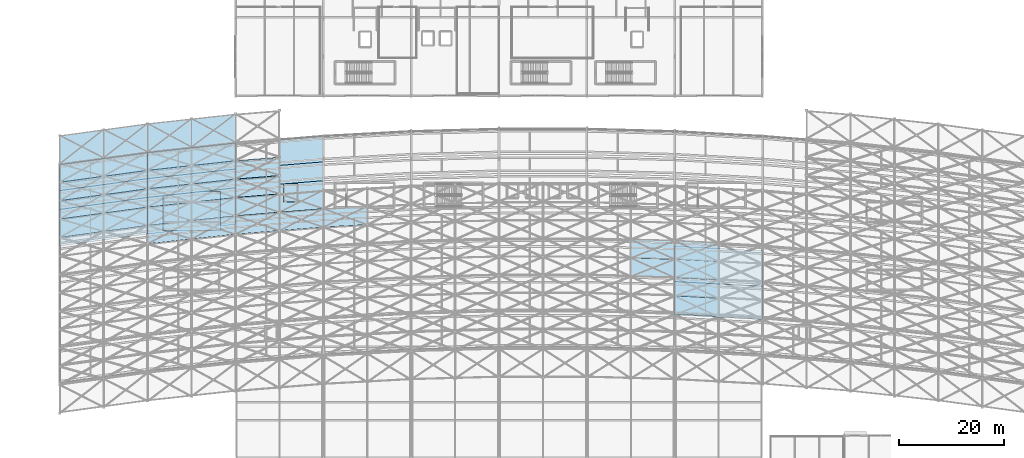
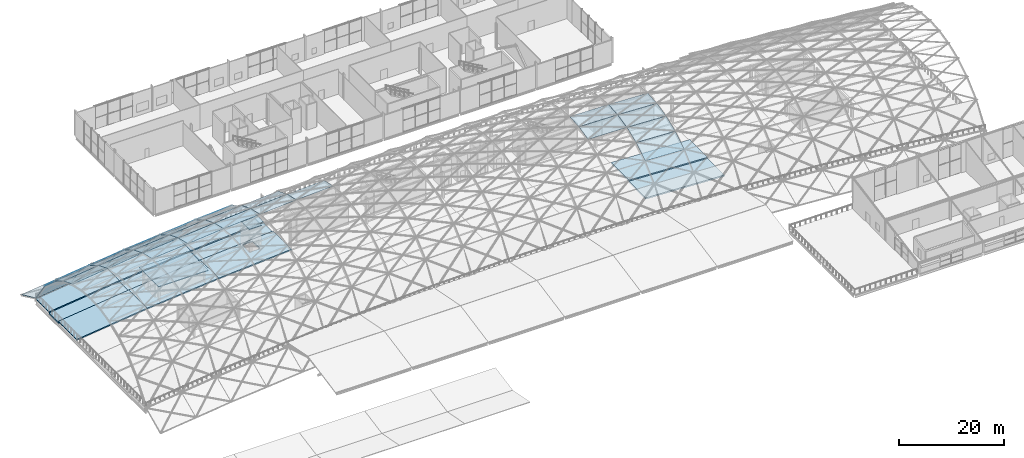
# One storey, part 66 of 100: 35 plates, 13 slabs.
"""IFC4 building model written with IfcOpenShell, lengths in metres."""

import ifcopenshell
import ifcopenshell.guid

model = None  # the IFC model being written
_history = None  # IfcOwnerHistory: only IFC2X3 demands one
_inside = {}  # id of a spatial element -> (the spatial element, [elements in it])
_under = {}  # id of a project, library or spatial element -> (it, [spatial elements below it])
_declared = {}  # id of a project -> (the project, [libraries it declares])
_typed = {}  # id of a type object -> (the type object, [elements of that type])
_made_of = {}  # id of a material, layer set ... -> (it, [elements and type objects made of it])


def new_model(schema):
    """Start an empty IFC model of exactly this schema.

    Asked for "IFC4X3", IfcOpenShell would pick the latest addendum, in which some entities
    have other attributes; the version numbers below select the first issue.
    IFC2X3 requires an IfcOwnerHistory on every rooted entity: one is made here for all.
    """
    global model, _history
    if schema == "IFC4X3":
        model = ifcopenshell.file(schema_version=(4, 3, 0, 0))
    else:
        model = ifcopenshell.file(schema=schema)
    _inside.clear()
    _under.clear()
    _declared.clear()
    _typed.clear()
    _made_of.clear()
    _history = None
    if model.schema == "IFC2X3":
        org = make("IfcOrganization", Name="unknown")
        user = make(
            "IfcPersonAndOrganization",
            ThePerson=make("IfcPerson", FamilyName="unknown"),
            TheOrganization=org,
        )
        app = make(
            "IfcApplication",
            ApplicationDeveloper=org,
            Version="unknown",
            ApplicationFullName="unknown",
            ApplicationIdentifier="unknown",
        )
        _history = make(
            "IfcOwnerHistory",
            OwningUser=user,
            OwningApplication=app,
            ChangeAction="ADDED",
            CreationDate=0,
        )
    return model


def make(cls, **values):
    """One entity of the class cls with the attributes given. An attribute that is None is left unset."""
    return model.create_entity(
        cls, **{name: value for name, value in values.items() if value is not None}
    )


def rooted(cls, **values):
    """An entity with a GlobalId (a new one), such as an element, a storey or a relation."""
    return make(cls, GlobalId=ifcopenshell.guid.new(), OwnerHistory=_history, **values)


def si_unit(unit_type, name, prefix=None):
    """IfcSIUnit, for example si_unit("LENGTHUNIT", "METRE", prefix="MILLI")."""
    return make("IfcSIUnit", UnitType=unit_type, Prefix=prefix, Name=name)


def assignment(units):
    """IfcUnitAssignment: the units of a project."""
    return None if units is None else make("IfcUnitAssignment", Units=units)


def point(xyz):
    """IfcCartesianPoint."""
    return None if xyz is None else make("IfcCartesianPoint", Coordinates=xyz)


def direction(xyz):
    """IfcDirection."""
    return None if xyz is None else make("IfcDirection", DirectionRatios=xyz)


def frame(location, z_axis=None, x_axis=None):
    """IfcAxis2Placement3D, a coordinate frame: its origin and axes. An axis left out is left unset."""
    return make(
        "IfcAxis2Placement3D",
        Location=point(location),
        Axis=direction(z_axis),
        RefDirection=direction(x_axis),
    )


def origin():
    """The frame at (0, 0, 0) with its axes left unset."""
    return frame((0.0, 0.0, 0.0))


def place(relative_to, where):
    """IfcLocalPlacement: puts the frame where relative to a parent placement (None: the world)."""
    return make(
        "IfcLocalPlacement", PlacementRelTo=relative_to, RelativePlacement=where
    )


def context(
    kind, dimensions, precision=None, world=None, true_north=None, identifier=None
):
    """IfcGeometricRepresentationContext, for example the 3D "Model" context."""
    return make(
        "IfcGeometricRepresentationContext",
        ContextIdentifier=identifier,
        ContextType=kind,
        CoordinateSpaceDimension=dimensions,
        Precision=precision,
        WorldCoordinateSystem=world,
        TrueNorth=true_north,
    )


def subcontext(parent, identifier, kind, view, scale=None):
    """IfcGeometricRepresentationSubContext, for example "Body" below "Model"."""
    return make(
        "IfcGeometricRepresentationSubContext",
        ContextIdentifier=identifier,
        ContextType=kind,
        ParentContext=parent,
        TargetScale=scale,
        TargetView=view,
    )


def project(units=None, contexts=None):
    """IfcProject with its units and contexts."""
    return rooted(
        "IfcProject",
        Name="project",
        RepresentationContexts=contexts,
        UnitsInContext=assignment(units),
    )


def spatial(cls, under=None, at=None, **own):
    """A site, building, storey or space (cls), placed at a placement, below another one or the project."""
    s = rooted(cls, ObjectPlacement=at, **own)
    if under is not None:
        _under.setdefault(under.id(), (under, []))[1].append(s)
    return s


def polyline(points):
    """IfcPolyline through the points."""
    return make("IfcPolyline", Points=[point(p) for p in points])


def outline(outer, holes=None, kind="AREA"):
    """IfcArbitraryClosedProfileDef: a profile drawn as a closed curve; with holes, ...WithVoids."""
    if holes is None:
        return make("IfcArbitraryClosedProfileDef", ProfileType=kind, OuterCurve=outer)
    return make(
        "IfcArbitraryProfileDefWithVoids",
        ProfileType=kind,
        OuterCurve=outer,
        InnerCurves=holes,
    )


def extrude(swept, where, along, depth):
    """IfcExtrudedAreaSolid: the profile swept, set in the frame where, extruded along a direction by depth."""
    return make(
        "IfcExtrudedAreaSolid",
        SweptArea=swept,
        Position=where,
        ExtrudedDirection=direction(along),
        Depth=depth,
    )


def shape(context_of_items, identifier, shape_type, items):
    """IfcShapeRepresentation: the items that make up one representation, for example the "Body"."""
    return make(
        "IfcShapeRepresentation",
        ContextOfItems=context_of_items,
        RepresentationIdentifier=identifier,
        RepresentationType=shape_type,
        Items=items,
    )


def material(Name=None, Category=None):
    """IfcMaterial."""
    return make("IfcMaterial", Name=Name, Category=Category)


def layer(
    of_material, thickness, ventilated=None, Name=None, Category=None, Priority=None
):
    """IfcMaterialLayer: one layer of a wall or slab, of a material (None: an air gap)."""
    return make(
        "IfcMaterialLayer",
        Material=of_material,
        LayerThickness=thickness,
        IsVentilated=ventilated,
        Name=Name,
        Category=Category,
        Priority=Priority,
    )


def layer_set(layers, Name=None):
    """IfcMaterialLayerSet."""
    return make("IfcMaterialLayerSet", MaterialLayers=layers, LayerSetName=Name)


def made_of(thing, what):
    """Note that an element or type object is made of a material, layer set ...; save() writes the relation."""
    if what is not None:
        _made_of.setdefault(what.id(), (what, []))[1].append(thing)
    return thing


def type_object(cls, material=None, **own):
    """A type object (cls), such as IfcWallType, which elements share."""
    return made_of(rooted(cls, **own), material)


def element(
    cls,
    number,
    at=None,
    inside=None,
    cuts=None,
    type_object=None,
    material=None,
    context=None,
    identifier="Body",
    shape_type=None,
    held_by="IfcProductDefinitionShape",
    body=None,
    shapes=None,
    **own,
):
    """One element of the class cls, such as IfcWall. Its Tag is "e" and its number.

    at: its placement. inside: the storey or other place that contains it. cuts: it is an
    opening in that element (IfcRelVoidsElement). A single representation is given by context,
    identifier, shape_type and body (its items); several are given by shapes. held_by: the class
    of the entity that holds the representations. save() writes the other relations.
    """
    e = rooted(cls, Tag="e%d" % number, ObjectPlacement=at, **own)
    if body is not None:
        shapes = [shape(context, identifier, shape_type, body)]
    if shapes is not None:
        e.Representation = make(held_by, Representations=shapes)
    if inside is not None:
        _inside.setdefault(inside.id(), (inside, []))[1].append(e)
    if cuts is not None:
        rooted(
            "IfcRelVoidsElement", RelatingBuildingElement=cuts, RelatedOpeningElement=e
        )
    if type_object is not None:
        _typed.setdefault(type_object.id(), (type_object, []))[1].append(e)
    return made_of(e, material)


def aggregate(whole, parts):
    """IfcRelAggregates: a whole, such as a stair, and the parts it consists of."""
    return rooted("IfcRelAggregates", RelatingObject=whole, RelatedObjects=parts)


def save(model, path):
    """Write the relations noted so far, then the file.

    IfcRelAggregates (storeys below a building ...), IfcRelContainedInSpatialStructure (elements
    in a storey), IfcRelDefinesByType, IfcRelAssociatesMaterial and IfcRelDeclares: one each for
    every whole, place, type object, material and project.
    """
    for whole, parts in _under.values():
        aggregate(whole, parts)
    for where, things in _inside.values():
        rooted(
            "IfcRelContainedInSpatialStructure",
            RelatedElements=things,
            RelatingStructure=where,
        )
    for kind, things in _typed.values():
        rooted("IfcRelDefinesByType", RelatedObjects=things, RelatingType=kind)
    for what, things in _made_of.values():
        rooted("IfcRelAssociatesMaterial", RelatedObjects=things, RelatingMaterial=what)
    for by, libraries in _declared.values():
        rooted("IfcRelDeclares", RelatingContext=by, RelatedDefinitions=libraries)
    model.write(path)


model = new_model("IFC4")

# Units and contexts
model_context = context("Model", 3, precision=1e-05, world=origin(), true_north=direction((0.0, 1.0)))
body_context = subcontext(model_context, "Body", "Model", "MODEL_VIEW")
ifc_project = project(units=[si_unit("LENGTHUNIT", "METRE"), si_unit("AREAUNIT", "SQUARE_METRE"), si_unit("VOLUMEUNIT", "CUBIC_METRE"), si_unit("PLANEANGLEUNIT", "RADIAN"), si_unit("MASSUNIT", "GRAM", prefix="KILO")], contexts=[model_context])

# Site, building, storey
site_placement = place(None, origin())
site = spatial("IfcSite", under=ifc_project, at=site_placement, CompositionType="ELEMENT")
building_placement = place(site_placement, origin())
building = spatial("IfcBuilding", under=site, at=building_placement, Name="Kimbaza Rail Terminus", CompositionType="ELEMENT")
storey_placement = place(building_placement, frame((0.0, 0.0, 10.800048828125)))
storey = spatial("IfcBuildingStorey", under=building, at=storey_placement, Name="L02", CompositionType="ELEMENT", Elevation=10.800048828125)

# Plates
ifc_material_1 = material(Name="Insulated pearl-white aluminium cassette", Category="aluminium")
ifc_layer_1 = layer(ifc_material_1, 0.072998046875)
ifc_layer_set_1 = layer_set([ifc_layer_1], Name="Insulated pearl-white aluminium cassette")
plate_type_1 = type_object("IfcPlateType", Name="ARC-PL-VAL-10", PredefinedType="SHEET", material=ifc_layer_set_1)
plate_1_placement = place(storey_placement, frame((21.60498046875, 75.92333984375, 11.858154296875), z_axis=(-0.050811530578, 0.371055898819, 0.927219342072), x_axis=(0.990753872834, 0.135671527834, 0.0)))
element("IfcPlate", 1, at=plate_1_placement, inside=storey, type_object=plate_type_1, Name="Vault Insulated Aluminium Cassette VR-00-VA09", PredefinedType="SHEET", context=body_context, shape_type="SweptSolid", body=[
    extrude(outline(polyline([(0.0, 0.0), (8.468436963816755, 0.0), (8.94328731123702, 3.739825516549169), (0.474850347420265, 3.7398255165491685), (0.0, 0.0)])), origin(), (0.0, 0.0, -1.0), 0.072998046875),
])
ifc_material_2 = material(Name="Insulated pearl-white aluminium cassette", Category="aluminium")
ifc_layer_2 = layer(ifc_material_2, 0.074951171875)
ifc_layer_set_2 = layer_set([ifc_layer_2], Name="Insulated pearl-white aluminium cassette")
plate_type_2 = type_object("IfcPlateType", Name="ARC-PL-VAL-11", PredefinedType="SHEET", material=ifc_layer_set_2)
plate_2_placement = place(storey_placement, frame((21.60498046875, 79.443359375, 10.44970703125), z_axis=(-0.071089855016, 0.519140237456, 0.851727448406), x_axis=(0.990753872834, 0.135671527834, 0.0)))
element("IfcPlate", 2, at=plate_2_placement, inside=storey, type_object=plate_type_2, Name="Vault Insulated Aluminium Cassette VR-00-VA10", PredefinedType="SHEET", context=body_context, shape_type="SweptSolid", body=[
    extrude(outline(polyline([(0.0, 0.0), (8.468436963816755, 0.0), (8.94328731123702, 4.071300697668586), (0.474850347420265, 4.071300697668586), (0.0, 0.0)])), origin(), (0.0, 0.0, -1.0), 0.074951171875),
])
ifc_material_3 = material(Name="Insulated pearl-white aluminium cassette", Category="aluminium")
ifc_layer_3 = layer(ifc_material_3, 0.076904296875)
ifc_layer_set_3 = layer_set([ifc_layer_3], Name="Insulated pearl-white aluminium cassette")
plate_type_3 = type_object("IfcPlateType", Name="ARC-PL-VAL-12", PredefinedType="SHEET", material=ifc_layer_set_3)
plate_3_placement = place(storey_placement, frame((21.60498046875, 82.964111328125, 8.3037109375), z_axis=(-0.091339043118, 0.6671535719, 0.739299188897), x_axis=(0.990757747619, 0.135643228847, 0.0)))
element("IfcPlate", 3, at=plate_3_placement, inside=storey, type_object=plate_type_3, Name="Vault Insulated Aluminium Cassette VR-00-VA11", PredefinedType="SHEET", context=body_context, shape_type="SweptSolid", body=[
    extrude(outline(polyline([(0.0, 0.0), (8.468403844339614, -1.1102230246251565e-16), (8.943155145303464, 4.69045843516038), (0.47475130096385, 4.690458435160381), (0.0, 0.0)])), origin(), (0.0, 0.0, -1.0), 0.076904296875),
])
ifc_material_4 = material(Name="Insulated pearl-white aluminium cassette", Category="aluminium")
ifc_layer_4 = layer(ifc_material_4, 0.0791015625)
ifc_layer_set_4 = layer_set([ifc_layer_4], Name="Insulated pearl-white aluminium cassette")
plate_type_4 = type_object("IfcPlateType", Name="ARC-PL-VAL-13", PredefinedType="SHEET", material=ifc_layer_set_4)
plate_4_placement = place(storey_placement, frame((21.60498046875, 86.4853515625, 5.12451171875), z_axis=(-0.111797155631, 0.81658258245, 0.566298756869), x_axis=(0.990757747619, 0.135643228847, 0.0)))
element("IfcPlate", 4, at=plate_4_placement, inside=storey, type_object=plate_type_4, Name="Vault Insulated Aluminium Cassette VR-00-VA12", PredefinedType="SHEET", context=body_context, shape_type="SweptSolid", body=[
    extrude(outline(polyline([(0.0, 0.0), (8.468403844339614, 0.0), (8.943155145303464, 6.123361696638385), (0.47475130096385004, 6.123361696638386), (0.0, 0.0)])), origin(), (0.0, 0.0, -1.0), 0.0791015625),
])
ifc_material_5 = material(Name="Insulated pearl-white aluminium cassette", Category="aluminium")
ifc_layer_5 = layer(ifc_material_5, 0.0810546875)
ifc_layer_set_5 = layer_set([ifc_layer_5], Name="Insulated pearl-white aluminium cassette")
plate_type_5 = type_object("IfcPlateType", Name="ARC-PL-VAL-14", PredefinedType="SHEET", material=ifc_layer_set_5)
plate_5_placement = place(storey_placement, frame((21.60498046875, 89.93212890625, 0.123779296875), z_axis=(-0.056574455455, 0.413140190432, 0.908908418951), x_axis=(0.990753872834, 0.135671527834, 0.0)))
element("IfcPlate", 5, at=plate_5_placement, inside=storey, type_object=plate_type_5, Name="Vault Insulated Aluminium Cassette VR-00-VA13", PredefinedType="SHEET", context=body_context, shape_type="SweptSolid", body=[
    extrude(outline(polyline([(0.0, 0.0), (8.468436963816755, 0.0), (9.214630366905743, 5.995264414951728), (0.7461934030889878, 5.995264414951728), (0.0, 0.0)])), origin(), (0.0, 0.0, -1.0), 0.0810546875),
])
plate_6_placement = place(storey_placement, frame((30.0048828125, 91.0810546875, 0.123779296875), z_axis=(-0.056562472149, 0.41314047139, 0.908909037057), x_axis=(0.990757747619, 0.135643228847, 0.0)))
element("IfcPlate", 6, at=plate_6_placement, inside=storey, type_object=plate_type_5, Name="Vault Insulated Aluminium Cassette VR-01-VA13", PredefinedType="SHEET", context=body_context, shape_type="SweptSolid", body=[
    extrude(outline(polyline([(0.0, 0.0), (8.468403844339614, -2.220446049250313e-16), (9.214441602997093, 5.995283784997782), (0.7460377586574786, 5.995283784997782), (0.0, 0.0)])), origin(), (0.0, 0.0, -1.0), 0.0810546875),
])
plate_7_placement = place(storey_placement, frame((38.405029296875, 92.229736328125, 0.123779296875), z_axis=(-0.045133319265, 0.413381267737, 0.909438789021), x_axis=(0.994092533341, 0.108535870365, 0.0)))
element("IfcPlate", 7, at=plate_7_placement, inside=storey, type_object=plate_type_5, Name="Vault Insulated Aluminium Cassette VR-02-VA13", PredefinedType="SHEET", context=body_context, shape_type="SweptSolid", body=[
    extrude(outline(polyline([(0.0, 0.0), (8.43975012057354, 0.0), (9.036697407581325, 6.0119592427539), (0.5969472870077849, 6.0119592427539), (0.0, 0.0)])), origin(), (0.0, 0.0, -1.0), 0.0810546875),
])
plate_8_placement = place(storey_placement, frame((46.804931640625, 93.145751953125, 0.123779296875), z_axis=(-0.045120004332, 0.413381516627, 0.90943933658), x_axis=(0.994095994634, 0.108504163297, 0.0)))
element("IfcPlate", 8, at=plate_8_placement, inside=storey, type_object=plate_type_5, Name="Vault Insulated Aluminium Cassette VR-03-VA13", PredefinedType="SHEET", context=body_context, shape_type="SweptSolid", body=[
    extrude(outline(polyline([(0.0, 0.0), (8.43996632522378, 0.0), (9.036739223358413, 6.011976555846837), (0.5967728981346325, 6.011976555846837), (0.0, 0.0)])), origin(), (0.0, 0.0, -1.0), 0.0810546875),
])
ifc_material_6 = material(Name="Laminated solar-control low-E glass", Category="glass")
ifc_layer_6 = layer(ifc_material_6, 0.031982421875)
ifc_layer_set_6 = layer_set([ifc_layer_6], Name="Laminated solar-control low-E glass")
plate_type_6 = type_object("IfcPlateType", Name="ARC-PL-VGL-04", PredefinedType="SHEET", material=ifc_layer_set_6)
plate_9_placement = place(storey_placement, frame((139.205078125, 61.242431640625, 8.27978515625), z_axis=(-0.028262013493, -0.520205727736, 0.853573230264), x_axis=(0.998527464249, -0.054248531231, 0.0)))
element("IfcPlate", 9, at=plate_9_placement, inside=storey, type_object=plate_type_6, Name="Vault Solar Glass Cassette VR-14-VA03", PredefinedType="SHEET", context=body_context, shape_type="SweptSolid", body=[
    extrude(outline(polyline([(0.0, 0.0), (8.402265214043142, 0.0), (8.21239535473471, 4.094371755060917), (-0.1898698593084316, 4.094371755060917), (0.0, 0.0)])), origin(), (0.0, 0.0, -1.0), 0.031982421875),
])
ifc_material_7 = material(Name="Laminated solar-control low-E glass", Category="glass")
ifc_layer_7 = layer(ifc_material_7, 0.033935546875)
ifc_layer_set_7 = layer_set([ifc_layer_7], Name="Laminated solar-control low-E glass")
plate_type_7 = type_object("IfcPlateType", Name="ARC-PL-VGL-05", PredefinedType="SHEET", material=ifc_layer_set_7)
plate_10_placement = place(storey_placement, frame((139.205078125, 64.754638671875, 10.421142578125), z_axis=(-0.020180885247, -0.371460161495, 0.928229540735), x_axis=(0.998527464249, -0.054248531231, 0.0)))
element("IfcPlate", 10, at=plate_10_placement, inside=storey, type_object=plate_type_7, Name="Vault Solar Glass Cassette VR-14-VA04", PredefinedType="SHEET", context=body_context, shape_type="SweptSolid", body=[
    extrude(outline(polyline([(0.0, 0.0), (8.402265214043142, -5.551115123125783e-17), (8.21239535473471, 3.7650666904058414), (-0.18986985930843156, 3.7650666904058414), (0.0, 0.0)])), origin(), (0.0, 0.0, -1.0), 0.033935546875),
])
ifc_material_8 = material(Name="Laminated solar-control low-E glass", Category="glass")
ifc_layer_8 = layer(ifc_material_8, 0.035888671875)
ifc_layer_set_8 = layer_set([ifc_layer_8], Name="Laminated solar-control low-E glass")
plate_type_8 = type_object("IfcPlateType", Name="ARC-PL-VGL-06", PredefinedType="SHEET", material=ifc_layer_set_8)
plate_11_placement = place(storey_placement, frame((130.804931640625, 68.4951171875, 11.827880859375), z_axis=(-0.006049694292, -0.222833648496, 0.9748377128), x_axis=(0.9996316715, -0.027138926541, 0.0)))
element("IfcPlate", 11, at=plate_11_placement, inside=storey, type_object=plate_type_8, Name="Vault Solar Glass Cassette VR-13-VA05", PredefinedType="SHEET", context=body_context, shape_type="SweptSolid", body=[
    extrude(outline(polyline([(0.0, 0.0), (8.393228183895808, 0.0), (8.29824194100214, 3.589018771341985), (-0.09498624289366717, 3.589018771341985), (0.0, 0.0)])), origin(), (0.0, 0.0, -1.0), 0.035888671875),
])
plate_12_placement = place(storey_placement, frame((139.205078125, 68.267333984375, 11.827880859375), z_axis=(-0.012105559432, -0.222821397903, 0.974784119725), x_axis=(0.998527464249, -0.054248531231, 0.0)))
element("IfcPlate", 12, at=plate_12_placement, inside=storey, type_object=plate_type_8, Name="Vault Solar Glass Cassette VR-14-VA05", PredefinedType="SHEET", context=body_context, shape_type="SweptSolid", body=[
    extrude(outline(polyline([(0.0, 0.0), (8.402265214043142, -5.551115123125783e-17), (8.21239535473471, 3.585251394799308), (-0.18986985930843156, 3.585251394799308), (0.0, 0.0)])), origin(), (0.0, 0.0, -1.0), 0.035888671875),
])
ifc_material_9 = material(Name="Laminated solar-control low-E glass", Category="glass")
ifc_layer_9 = layer(ifc_material_9, 0.0380859375)
ifc_layer_set_9 = layer_set([ifc_layer_9], Name="Laminated solar-control low-E glass")
plate_type_9 = type_object("IfcPlateType", Name="ARC-PL-VGL-07", PredefinedType="SHEET", material=ifc_layer_set_9)
plate_13_placement = place(storey_placement, frame((130.804931640625, 72.008544921875, 12.632080078125), z_axis=(-0.002015063003, -0.074222567165, 0.997239665298), x_axis=(0.9996316715, -0.027138926541, 0.0)))
element("IfcPlate", 13, at=plate_13_placement, inside=storey, type_object=plate_type_9, Name="Vault Solar Glass Cassette VR-13-VA06", PredefinedType="SHEET", context=body_context, shape_type="SweptSolid", body=[
    extrude(outline(polyline([(0.0, 0.0), (8.393228183895808, 2.7755575615628914e-17), (8.29824194100214, 3.508395195254753), (-0.09498624289366717, 3.508395195254753), (0.0, 0.0)])), origin(), (0.0, 0.0, -1.0), 0.0380859375),
])
plate_14_placement = place(storey_placement, frame((139.205078125, 71.78076171875, 12.632080078125), z_axis=(-0.004032378514, -0.074222114419, 0.997233582294), x_axis=(0.998527464249, -0.054248531231, 0.0)))
element("IfcPlate", 14, at=plate_14_placement, inside=storey, type_object=plate_type_9, Name="Vault Solar Glass Cassette VR-14-VA06", PredefinedType="SHEET", context=body_context, shape_type="SweptSolid", body=[
    extrude(outline(polyline([(0.0, 0.0), (8.402265214043142, -5.551115123125783e-17), (8.21239535473471, 3.5045411495589383), (-0.18986985930843156, 3.5045411495589383), (0.0, 0.0)])), origin(), (0.0, 0.0, -1.0), 0.0380859375),
])
ifc_material_10 = material(Name="Laminated solar-control low-E glass", Category="glass")
ifc_layer_10 = layer(ifc_material_10, 0.0419921875)
ifc_layer_set_10 = layer_set([ifc_layer_10], Name="Laminated solar-control low-E glass")
plate_type_10 = type_object("IfcPlateType", Name="ARC-PL-VGL-09", PredefinedType="SHEET", material=ifc_layer_set_10)
plate_15_placement = place(storey_placement, frame((38.405029296875, 74.695068359375, 12.6337890625), z_axis=(-0.024322415435, 0.22277180342, 0.974567157105), x_axis=(0.994092533341, 0.108535870365, 0.0)))
element("IfcPlate", 15, at=plate_15_placement, inside=storey, type_object=plate_type_10, Name="Vault Solar Glass Cassette VR-02-VA08", PredefinedType="SHEET", context=body_context, shape_type="SweptSolid", body=[
    extrude(outline(polyline([(0.0, 0.0), (8.43975012057354, 0.0), (8.819625666851223, 3.5701222243397246), (0.3798755462776813, 3.570122224339724), (0.0, 0.0)])), origin(), (0.0, 0.0, -1.0), 0.0419921875),
])
plate_16_placement = place(storey_placement, frame((46.804931640625, 75.611083984375, 12.6337890625), z_axis=(-0.024321708107, 0.222771807255, 0.974567173881), x_axis=(0.994092874093, 0.108532749334, 0.0)))
element("IfcPlate", 16, at=plate_16_placement, inside=storey, type_object=plate_type_10, Name="Vault Solar Glass Cassette VR-03-VA08", PredefinedType="SHEET", context=body_context, shape_type="SweptSolid", body=[
    extrude(outline(polyline([(0.0, 0.0), (8.439992818987536, 0.0), (8.819857441654904, 3.5701233866394544), (0.37986462266736853, 3.5701233866394544), (0.0, 0.0)])), origin(), (0.0, 0.0, -1.0), 0.0419921875),
])
plate_17_placement = place(storey_placement, frame((55.205078125, 76.527099609375, 12.6337890625), z_axis=(-0.01819232299, 0.222800848023, 0.974694219488), x_axis=(0.996682983687, 0.081382000647, 0.0)))
element("IfcPlate", 17, at=plate_17_placement, inside=storey, type_object=plate_type_10, Name="Vault Solar Glass Cassette VR-04-VA08", PredefinedType="SHEET", context=body_context, shape_type="SweptSolid", body=[
    extrude(outline(polyline([(0.0, 0.0), (8.417814606496611, 0.0), (8.702651608760181, 3.5789587884642775), (0.2848370022635715, 3.578958788464277), (0.0, 0.0)])), origin(), (0.0, 0.0, -1.0), 0.0419921875),
])
plate_18_placement = place(storey_placement, frame((63.60498046875, 77.212158203125, 12.6337890625), z_axis=(-0.018191793795, 0.222800850169, 0.974694228875), x_axis=(0.996683175765, 0.081379648234, 0.0)))
element("IfcPlate", 18, at=plate_18_placement, inside=storey, type_object=plate_type_10, Name="Vault Solar Glass Cassette VR-05-VA08", PredefinedType="SHEET", context=body_context, shape_type="SweptSolid", body=[
    extrude(outline(polyline([(0.0, 0.0), (8.418057937326623, -1.1102230246251565e-16), (8.702886706144344, 3.578959443726341), (0.28482876881772273, 3.5789594437263412), (0.0, 0.0)])), origin(), (0.0, 0.0, -1.0), 0.0419921875),
])
plate_19_placement = place(storey_placement, frame((72.0048828125, 77.897216796875, 12.6337890625), z_axis=(-0.012111690054, 0.22282138136, 0.974784047353), x_axis=(0.998525975476, 0.054275927434, 0.0)))
element("IfcPlate", 19, at=plate_19_placement, inside=storey, type_object=plate_type_10, Name="Vault Solar Glass Cassette VR-06-VA08", PredefinedType="SHEET", context=body_context, shape_type="SweptSolid", body=[
    extrude(outline(polyline([(0.0, 0.0), (8.40252224259524, 0.0), (8.592487988613543, 3.585246315488504), (0.18996574601830432, 3.585246315488504), (0.0, 0.0)])), origin(), (0.0, 0.0, -1.0), 0.0419921875),
])
ifc_material_11 = material(Name="Laminated solar-control low-E glass", Category="glass")
ifc_layer_11 = layer(ifc_material_11, 0.0439453125)
ifc_layer_set_11 = layer_set([ifc_layer_11], Name="Laminated solar-control low-E glass")
plate_type_11 = type_object("IfcPlateType", Name="ARC-PL-VGL-10", PredefinedType="SHEET", material=ifc_layer_set_11)
plate_20_placement = place(storey_placement, frame((30.0048828125, 77.0615234375, 11.8310546875), z_axis=(-0.050800761265, 0.371056102366, 0.92721985071), x_axis=(0.990757747619, 0.135643228847, 0.0)))
element("IfcPlate", 20, at=plate_20_placement, inside=storey, type_object=plate_type_11, Name="Vault Solar Glass Cassette VR-01-VA09", PredefinedType="SHEET", context=body_context, shape_type="SweptSolid", body=[
    extrude(outline(polyline([(0.0, 0.0), (8.468403844339614, -2.220446049250313e-16), (8.943155145303464, 3.7398380912695313), (0.47475130096385, 3.7398380912695313), (0.0, 0.0)])), origin(), (0.0, 0.0, -1.0), 0.0439453125),
])
plate_21_placement = place(storey_placement, frame((38.405029296875, 78.210205078125, 11.8310546875), z_axis=(-0.040531265198, 0.371230524658, 0.927655708819), x_axis=(0.994092533341, 0.108535870365, 0.0)))
element("IfcPlate", 21, at=plate_21_placement, inside=storey, type_object=plate_type_11, Name="Vault Solar Glass Cassette VR-02-VA09", PredefinedType="SHEET", context=body_context, shape_type="SweptSolid", body=[
    extrude(outline(polyline([(0.0, 0.0), (8.43975012057354, 0.0), (8.819625666851223, 3.7506629168745125), (0.3798755462776813, 3.7506629168745134), (0.0, 0.0)])), origin(), (0.0, 0.0, -1.0), 0.0439453125),
])
plate_22_placement = place(storey_placement, frame((46.804931640625, 79.126220703125, 11.8310546875), z_axis=(-0.04051930321, 0.371230704913, 0.927656159252), x_axis=(0.994095994634, 0.108504163297, 0.0)))
element("IfcPlate", 22, at=plate_22_placement, inside=storey, type_object=plate_type_11, Name="Vault Solar Glass Cassette VR-03-VA09", PredefinedType="SHEET", context=body_context, shape_type="SweptSolid", body=[
    extrude(outline(polyline([(0.0, 0.0), (8.43996632522378, 0.0), (8.819730896764002, 3.750674154986043), (0.3797645715402207, 3.7506741549860436), (0.0, 0.0)])), origin(), (0.0, 0.0, -1.0), 0.0439453125),
])
plate_23_placement = place(storey_placement, frame((55.205078125, 80.0419921875, 11.8310546875), z_axis=(-0.030333803213, 0.371364854795, 0.927991381967), x_axis=(0.996680630795, 0.081410811309, 0.0)))
element("IfcPlate", 23, at=plate_23_placement, inside=storey, type_object=plate_type_11, Name="Vault Solar Glass Cassette VR-04-VA09", PredefinedType="SHEET", context=body_context, shape_type="SweptSolid", body=[
    extrude(outline(polyline([(0.0, 0.0), (8.417834478666043, -1.1102230246251565e-16), (8.702772318248343, 3.7590674607210186), (0.2849378395823001, 3.7590674607210186), (0.0, 0.0)])), origin(), (0.0, 0.0, -1.0), 0.0439453125),
])
plate_24_placement = place(storey_placement, frame((63.60498046875, 80.727294921875, 11.8310546875), z_axis=(-0.030322125123, 0.371364986444, 0.927991710939), x_axis=(0.996683175765, 0.081379648234, 0.0)))
element("IfcPlate", 24, at=plate_24_placement, inside=storey, type_object=plate_type_11, Name="Vault Solar Glass Cassette VR-05-VA09", PredefinedType="SHEET", context=body_context, shape_type="SweptSolid", body=[
    extrude(outline(polyline([(0.0, 0.0), (8.418057937326623, 0.0), (8.702886706144344, 3.759075726708785), (0.28482876881772273, 3.7590757267087853), (0.0, 0.0)])), origin(), (0.0, 0.0, -1.0), 0.0439453125),
])
ifc_material_12 = material(Name="Laminated solar-control low-E glass", Category="glass")
ifc_layer_12 = layer(ifc_material_12, 0.0458984375)
ifc_layer_set_12 = layer_set([ifc_layer_12], Name="Laminated solar-control low-E glass")
plate_type_12 = type_object("IfcPlateType", Name="ARC-PL-VGL-11", PredefinedType="SHEET", material=ifc_layer_set_12)
plate_25_placement = place(storey_placement, frame((30.0048828125, 80.5771484375, 10.4248046875), z_axis=(-0.071068924107, 0.519097693062, 0.85175512507), x_axis=(0.990757747619, 0.135643228847, 0.0)))
element("IfcPlate", 25, at=plate_25_placement, inside=storey, type_object=plate_type_12, Name="Vault Solar Glass Cassette VR-01-VA10", PredefinedType="SHEET", context=body_context, shape_type="SweptSolid", body=[
    extrude(outline(polyline([(0.0, 0.0), (8.468403844339614, 0.0), (8.943155145303464, 4.071184328220419), (0.47475130096385, 4.071184328220419), (0.0, 0.0)])), origin(), (0.0, 0.0, -1.0), 0.0458984375),
])
plate_26_placement = place(storey_placement, frame((38.405029296875, 81.725830078125, 10.4248046875), z_axis=(-0.056727704658, 0.519575578514, 0.852539257592), x_axis=(0.994092533341, 0.108535870365, 0.0)))
element("IfcPlate", 26, at=plate_26_placement, inside=storey, type_object=plate_type_12, Name="Vault Solar Glass Cassette VR-02-VA10", PredefinedType="SHEET", context=body_context, shape_type="SweptSolid", body=[
    extrude(outline(polyline([(0.0, 0.0), (8.43975012057354, 0.0), (8.819625666851223, 4.0811303828050685), (0.3798755462776813, 4.0811303828050685), (0.0, 0.0)])), origin(), (0.0, 0.0, -1.0), 0.0458984375),
])
plate_27_placement = place(storey_placement, frame((46.804931640625, 82.641845703125, 10.4248046875), z_axis=(-0.056726059277, 0.519575627167, 0.852539337423), x_axis=(0.994092874093, 0.108532749334, 0.0)))
element("IfcPlate", 27, at=plate_27_placement, inside=storey, type_object=plate_type_12, Name="Vault Solar Glass Cassette VR-03-VA10", PredefinedType="SHEET", context=body_context, shape_type="SweptSolid", body=[
    extrude(outline(polyline([(0.0, 0.0), (8.439992818987536, 0.0), (8.819857441654904, 4.08113139957049), (0.37986462266736853, 4.0811313995704905), (0.0, 0.0)])), origin(), (0.0, 0.0, -1.0), 0.0458984375),
])
plate_28_placement = place(storey_placement, frame((55.205078125, 83.557861328125, 10.4248046875), z_axis=(-0.042454938672, 0.519944393257, 0.853144422769), x_axis=(0.996682983687, 0.081382000647, 0.0)))
element("IfcPlate", 28, at=plate_28_placement, inside=storey, type_object=plate_type_12, Name="Vault Solar Glass Cassette VR-04-VA10", PredefinedType="SHEET", context=body_context, shape_type="SweptSolid", body=[
    extrude(outline(polyline([(0.0, 0.0), (8.417814606496611, 0.0), (8.702651608760181, 4.088862740941044), (0.2848370022635715, 4.088862740941044), (0.0, 0.0)])), origin(), (0.0, 0.0, -1.0), 0.0458984375),
])
ifc_material_13 = material(Name="Laminated solar-control low-E glass", Category="glass")
ifc_layer_13 = layer(ifc_material_13, 0.048095703125)
ifc_layer_set_13 = layer_set([ifc_layer_13], Name="Laminated solar-control low-E glass")
plate_type_13 = type_object("IfcPlateType", Name="ARC-PL-VGL-12", PredefinedType="SHEET", material=ifc_layer_set_13)
plate_29_placement = place(storey_placement, frame((30.0048828125, 84.093505859375, 8.281982421875), z_axis=(-0.091339043118, 0.6671535719, 0.739299188897), x_axis=(0.990757747619, 0.135643228847, 0.0)))
element("IfcPlate", 29, at=plate_29_placement, inside=storey, type_object=plate_type_13, Name="Vault Solar Glass Cassette VR-01-VA11", PredefinedType="SHEET", context=body_context, shape_type="SweptSolid", body=[
    extrude(outline(polyline([(0.0, 0.0), (8.468403844339614, -1.1102230246251565e-16), (8.943155145303464, 4.69045843516038), (0.47475130096385, 4.690458435160381), (0.0, 0.0)])), origin(), (0.0, 0.0, -1.0), 0.048095703125),
])
plate_30_placement = place(storey_placement, frame((38.405029296875, 85.2421875, 8.281982421875), z_axis=(-0.07295126009, 0.668168990666, 0.740424414484), x_axis=(0.994092533341, 0.108535870365, 0.0)))
element("IfcPlate", 30, at=plate_30_placement, inside=storey, type_object=plate_type_13, Name="Vault Solar Glass Cassette VR-02-VA11", PredefinedType="SHEET", context=body_context, shape_type="SweptSolid", body=[
    extrude(outline(polyline([(0.0, 0.0), (8.43975012057354, 0.0), (8.819625666851223, 4.6990939232020335), (0.3798755462776813, 4.6990939232020335), (0.0, 0.0)])), origin(), (0.0, 0.0, -1.0), 0.048095703125),
])
plate_31_placement = place(storey_placement, frame((46.804931640625, 86.158203125, 8.281982421875), z_axis=(-0.072949148612, 0.668169094136, 0.740424529144), x_axis=(0.994092874093, 0.108532749334, 0.0)))
element("IfcPlate", 31, at=plate_31_placement, inside=storey, type_object=plate_type_13, Name="Vault Solar Glass Cassette VR-03-VA11", PredefinedType="SHEET", context=body_context, shape_type="SweptSolid", body=[
    extrude(outline(polyline([(0.0, 0.0), (8.439992818987536, 0.0), (8.819857441654904, 4.699094806255755), (0.37986462266736853, 4.699094806255755), (0.0, 0.0)])), origin(), (0.0, 0.0, -1.0), 0.048095703125),
])
plate_32_placement = place(storey_placement, frame((55.205078125, 87.07421875, 8.281982421875), z_axis=(-0.054621989349, 0.668953907328, 0.741294211599), x_axis=(0.996682983687, 0.081382000647, 0.0)))
element("IfcPlate", 32, at=plate_32_placement, inside=storey, type_object=plate_type_13, Name="Vault Solar Glass Cassette VR-04-VA11", PredefinedType="SHEET", context=body_context, shape_type="SweptSolid", body=[
    extrude(outline(polyline([(0.0, 0.0), (8.417814606496611, 0.0), (8.702651608760181, 4.70581098344117), (0.2848370022635715, 4.70581098344117), (0.0, 0.0)])), origin(), (0.0, 0.0, -1.0), 0.048095703125),
])
ifc_material_14 = material(Name="Laminated solar-control low-E glass", Category="glass")
ifc_layer_14 = layer(ifc_material_14, 0.050048828125)
ifc_layer_set_14 = layer_set([ifc_layer_14], Name="Laminated solar-control low-E glass")
plate_type_14 = type_object("IfcPlateType", Name="ARC-PL-VGL-13", PredefinedType="SHEET", material=ifc_layer_set_14)
plate_33_placement = place(storey_placement, frame((30.0048828125, 87.6103515625, 5.107666015625), z_axis=(-0.111797155631, 0.81658258245, 0.566298756869), x_axis=(0.990757747619, 0.135643228847, 0.0)))
element("IfcPlate", 33, at=plate_33_placement, inside=storey, type_object=plate_type_14, Name="Vault Solar Glass Cassette VR-01-VA12", PredefinedType="SHEET", context=body_context, shape_type="SweptSolid", body=[
    extrude(outline(polyline([(0.0, 0.0), (8.468403844339614, 0.0), (8.943155145303464, 6.123361696638385), (0.47475130096385004, 6.123361696638386), (0.0, 0.0)])), origin(), (0.0, 0.0, -1.0), 0.050048828125),
])
plate_34_placement = place(storey_placement, frame((38.405029296875, 88.759033203125, 5.107666015625), z_axis=(-0.089358703495, 0.818446653945, 0.567591487565), x_axis=(0.994092533341, 0.108535870365, 0.0)))
element("IfcPlate", 34, at=plate_34_placement, inside=storey, type_object=plate_type_14, Name="Vault Solar Glass Cassette VR-02-VA12", PredefinedType="SHEET", context=body_context, shape_type="SweptSolid", body=[
    extrude(outline(polyline([(0.0, 0.0), (8.43975012057354, 0.0), (8.819625666851223, 6.129978942456918), (0.3798755462776812, 6.129978942456918), (0.0, 0.0)])), origin(), (0.0, 0.0, -1.0), 0.050048828125),
])
plate_35_placement = place(storey_placement, frame((46.804931640625, 89.675048828125, 5.107666015625), z_axis=(-0.08935612405, 0.818446844109, 0.567591619444), x_axis=(0.994092874093, 0.108532749334, 0.0)))
element("IfcPlate", 35, at=plate_35_placement, inside=storey, type_object=plate_type_14, Name="Vault Solar Glass Cassette VR-03-VA12", PredefinedType="SHEET", context=body_context, shape_type="SweptSolid", body=[
    extrude(outline(polyline([(0.0, 0.0), (8.439992818987536, 1.1102230246251565e-16), (8.819857441654904, 6.129979619384617), (0.37986462266736853, 6.129979619384617), (0.0, 0.0)])), origin(), (0.0, 0.0, -1.0), 0.050048828125),
])

# Slabs
ifc_material_15 = material(Name="Concrete C40/50", Category="concrete")
ifc_layer_15 = layer(ifc_material_15, 0.155029296875)
ifc_layer_set_15 = layer_set([ifc_layer_15], Name="Concrete C40/50")
slab_type_1 = type_object("IfcSlabType", Name="STR-SL-OVR155", PredefinedType="ROOF", material=ifc_layer_set_15)
slab_1_placement = place(storey_placement, frame((0.0, 0.0, 5.369873046875)))
element("IfcSlab", 36, at=slab_1_placement, inside=storey, type_object=slab_type_1, Name="Lift Shaft Overrun Cap Slab LG-01", PredefinedType="ROOF", context=body_context, shape_type="SweptSolid", body=[
    extrude(outline(polyline([(64.39990234375, 82.699951171875), (67.199951171875, 82.699951171875), (67.199951171875, 86.10009765625), (64.39990234375, 86.10009765625), (64.39990234375, 82.699951171875)])), origin(), (0.0, 0.0, 1.0), 0.155029296875),
])
slab_2_placement = place(storey_placement, frame((0.0, 0.0, 3.39990234375)))
element("IfcSlab", 37, at=slab_2_placement, inside=storey, type_object=slab_type_1, Name="Island Platform 4-5 Air-Conditioned Waiting Lounge 2 Pod Roof Slab", PredefinedType="ROOF", context=body_context, shape_type="SweptSolid", body=[
    extrude(outline(polyline([(41.300048828125, 77.26171875), (52.300048828125, 77.26171875), (52.300048828125, 84.71728515625), (41.300048828125, 84.71728515625), (41.300048828125, 77.26171875)])), origin(), (0.0, 0.0, 1.0), 0.155029296875),
])
ifc_material_16 = material(Name="Precast concrete C40/50", Category="concrete")
ifc_layer_16 = layer(ifc_material_16, 0.260009765625)
ifc_layer_set_16 = layer_set([ifc_layer_16], Name="Precast concrete C40/50")
slab_type_2 = type_object("IfcSlabType", Name="STR-SL-PLT260", PredefinedType="FLOOR", material=ifc_layer_set_16)
slab_3_placement = place(storey_placement, frame((0.0, 0.0, -0.260009765625)))
element("IfcSlab", 38, at=slab_3_placement, inside=storey, type_object=slab_type_2, Name="Viaduct Platform 4-5 North Island Bay 01", PredefinedType="FLOOR", context=body_context, shape_type="SweptSolid", body=[
    extrude(outline(polyline([(21.60009765625, 74.27587890625), (38.39990234375, 76.573486328125), (38.39990234375, 83.573486328125), (21.60009765625, 81.27587890625), (21.60009765625, 74.27587890625)])), origin(), (0.0, 0.0, 1.0), 0.260009765625),
])
slab_4_placement = place(storey_placement, frame((0.0, 0.0, -0.260009765625)))
element("IfcSlab", 39, at=slab_4_placement, inside=storey, type_object=slab_type_2, Name="Viaduct Platform 6 North Intercity Bay 01", PredefinedType="FLOOR", context=body_context, shape_type="SweptSolid", body=[
    extrude(outline(polyline([(21.60009765625, 84.8759765625), (38.39990234375, 87.173583984375), (38.39990234375, 92.173583984375), (21.60009765625, 89.8759765625), (21.60009765625, 84.8759765625)])), origin(), (0.0, 0.0, 1.0), 0.260009765625),
])
slab_5_placement = place(storey_placement, frame((0.0, 0.0, -0.260009765625)))
element("IfcSlab", 40, at=slab_5_placement, inside=storey, type_object=slab_type_2, Name="Viaduct Platform 4-5 North Island Bay 02", PredefinedType="FLOOR", context=body_context, shape_type="SweptSolid", body=[
    extrude(outline(polyline([(38.39990234375, 76.573486328125), (55.199951171875, 78.405517578125), (55.199951171875, 85.405517578125), (38.39990234375, 83.573486328125), (38.39990234375, 76.573486328125)])), origin(), (0.0, 0.0, 1.0), 0.260009765625),
])
slab_6_placement = place(storey_placement, frame((0.0, 0.0, -0.260009765625)))
element("IfcSlab", 41, at=slab_6_placement, inside=storey, type_object=slab_type_2, Name="Viaduct Platform 6 North Intercity Bay 02", PredefinedType="FLOOR", context=body_context, shape_type="SweptSolid", body=[
    extrude(outline(polyline([(38.39990234375, 87.173583984375), (55.199951171875, 89.00537109375), (55.199951171875, 94.00537109375), (38.39990234375, 92.173583984375), (38.39990234375, 87.173583984375)])), origin(), (0.0, 0.0, 1.0), 0.260009765625),
])
slab_7_placement = place(storey_placement, frame((0.0, 0.0, -0.260009765625)))
element("IfcSlab", 42, at=slab_7_placement, inside=storey, type_object=slab_type_2, Name="Viaduct Platform 4-5 North Island Bay 03", PredefinedType="FLOOR", context=body_context, shape_type="SweptSolid", body=[
    extrude(outline(polyline([(55.199951171875, 78.405517578125), (72.0, 79.77587890625), (72.0, 86.77587890625), (55.199951171875, 85.405517578125), (55.199951171875, 78.405517578125)]), holes=[polyline([(64.64990234375, 82.949951171875), (66.949951171875, 82.949951171875), (66.949951171875, 85.85009765625), (64.64990234375, 85.85009765625), (64.64990234375, 82.949951171875)])]), origin(), (0.0, 0.0, 1.0), 0.260009765625),
])
slab_8_placement = place(storey_placement, frame((0.0, 0.0, -0.260009765625)))
element("IfcSlab", 43, at=slab_8_placement, inside=storey, type_object=slab_type_2, Name="Viaduct Platform 6 North Intercity Bay 03", PredefinedType="FLOOR", context=body_context, shape_type="SweptSolid", body=[
    extrude(outline(polyline([(55.199951171875, 89.00537109375), (72.0, 90.375732421875), (72.0, 95.375732421875), (55.199951171875, 94.00537109375), (55.199951171875, 89.00537109375)])), origin(), (0.0, 0.0, 1.0), 0.260009765625),
])
slab_9_placement = place(storey_placement, frame((0.0, 0.0, -0.260009765625)))
element("IfcSlab", 44, at=slab_9_placement, inside=storey, type_object=slab_type_2, Name="Viaduct Platform 2-3 South Island Bay 08", PredefinedType="FLOOR", context=body_context, shape_type="SweptSolid", body=[
    extrude(outline(polyline([(139.199951171875, 67.48779296875), (156.0, 66.57568359375), (156.0, 73.375732421875), (139.199951171875, 74.28759765625), (139.199951171875, 67.48779296875)])), origin(), (0.0, 0.0, 1.0), 0.260009765625),
])
ifc_material_17 = material(Name="Concrete C40/50", Category="concrete")
ifc_layer_17 = layer(ifc_material_17, 0.320068359375)
ifc_layer_set_17 = layer_set([ifc_layer_17], Name="Concrete C40/50")
slab_type_3 = type_object("IfcSlabType", Name="STR-SL-TRK320", PredefinedType="FLOOR", material=ifc_layer_set_17)
slab_10_placement = place(storey_placement, frame((0.0, 0.0, -0.570068359375)))
element("IfcSlab", 45, at=slab_10_placement, inside=storey, type_object=slab_type_3, Name="Viaduct Track Bed 5-6 Bay 01", PredefinedType="FLOOR", context=body_context, shape_type="SweptSolid", body=[
    extrude(outline(polyline([(21.60009765625, 81.27587890625), (38.39990234375, 83.573486328125), (38.39990234375, 87.173583984375), (21.60009765625, 84.8759765625), (21.60009765625, 81.27587890625)])), origin(), (0.0, 0.0, 1.0), 0.320068359375),
])
slab_11_placement = place(storey_placement, frame((0.0, 0.0, -0.570068359375)))
element("IfcSlab", 46, at=slab_11_placement, inside=storey, type_object=slab_type_3, Name="Viaduct Track Bed 5-6 Bay 02", PredefinedType="FLOOR", context=body_context, shape_type="SweptSolid", body=[
    extrude(outline(polyline([(38.39990234375, 83.573486328125), (55.199951171875, 85.405517578125), (55.199951171875, 89.00537109375), (38.39990234375, 87.173583984375), (38.39990234375, 83.573486328125)])), origin(), (0.0, 0.0, 1.0), 0.320068359375),
])
slab_12_placement = place(storey_placement, frame((0.0, 0.0, -0.570068359375)))
element("IfcSlab", 47, at=slab_12_placement, inside=storey, type_object=slab_type_3, Name="Viaduct Track Bed 5-6 Bay 03", PredefinedType="FLOOR", context=body_context, shape_type="SweptSolid", body=[
    extrude(outline(polyline([(55.199951171875, 85.405517578125), (72.0, 86.77587890625), (72.0, 90.375732421875), (55.199951171875, 89.00537109375), (55.199951171875, 85.405517578125)])), origin(), (0.0, 0.0, 1.0), 0.320068359375),
])
slab_13_placement = place(storey_placement, frame((0.0, 0.0, -0.570068359375)))
element("IfcSlab", 48, at=slab_13_placement, inside=storey, type_object=slab_type_3, Name="Viaduct Track Bed 1-2 Bay 08", PredefinedType="FLOOR", context=body_context, shape_type="SweptSolid", body=[
    extrude(outline(polyline([(139.199951171875, 61.087646484375), (156.0, 60.17578125), (156.0, 66.57568359375), (139.199951171875, 67.48779296875), (139.199951171875, 61.087646484375)])), origin(), (0.0, 0.0, 1.0), 0.320068359375),
])

save(model, "model.ifc")
